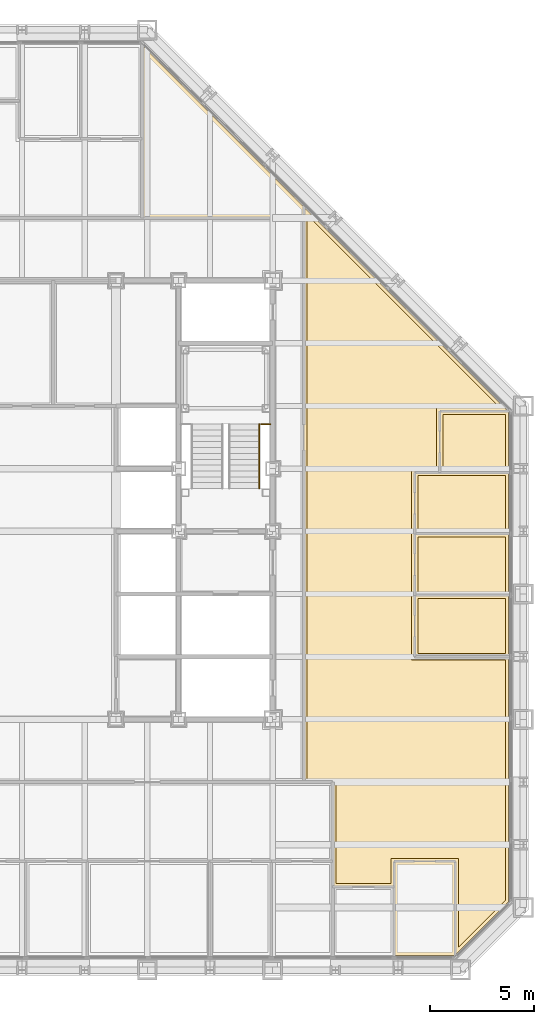
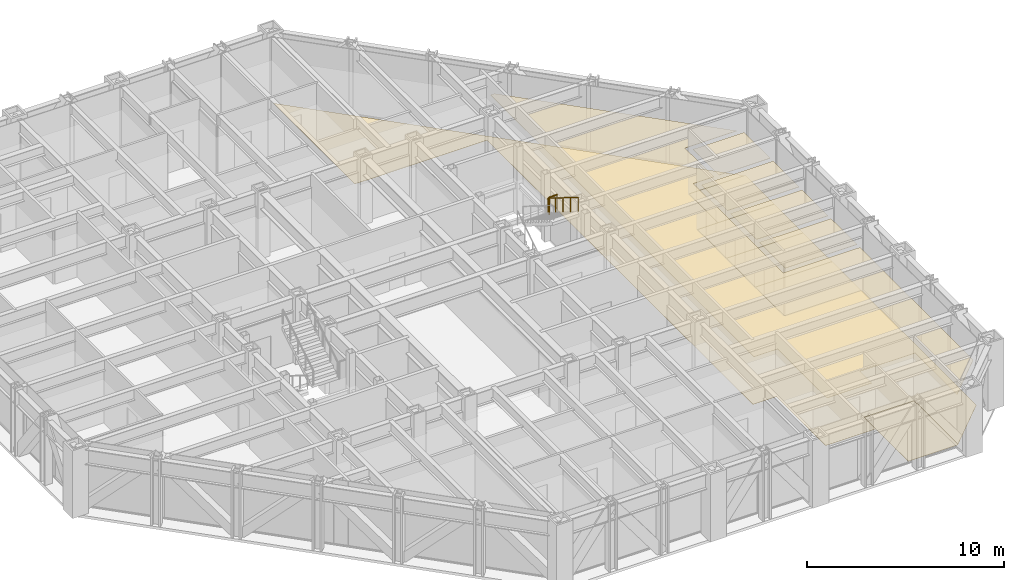
# One storey, part 15 of 16: 11 coverings, 2 railings.
"""IFC4 building model written with IfcOpenShell, lengths in metres."""

from ifc_helpers import new_model, si_unit, direction, frame, origin, origin_2d, place, context, subcontext, project, spatial, polyline, circle, outline, extrude, material, layer, layer_set, type_object, element, save


model = new_model("IFC4")

# Units and contexts
model_context = context("Model", 3, precision=1e-05, world=origin(), true_north=direction((0.0, 1.0)))
body_context = subcontext(model_context, "Body", "Model", "MODEL_VIEW")
ifc_project = project(units=[si_unit("LENGTHUNIT", "METRE"), si_unit("AREAUNIT", "SQUARE_METRE"), si_unit("VOLUMEUNIT", "CUBIC_METRE"), si_unit("PLANEANGLEUNIT", "RADIAN"), si_unit("MASSUNIT", "GRAM", prefix="KILO")], contexts=[model_context])

# Site, building, storey
site_placement = place(None, origin())
site = spatial("IfcSite", under=ifc_project, at=site_placement, CompositionType="ELEMENT")
building_placement = place(site_placement, origin())
building = spatial("IfcBuilding", under=site, at=building_placement, Name="Chuquiago Exchange Tower", CompositionType="ELEMENT")
storey_placement = place(building_placement, frame((0.0, 0.0, 111.0)))
storey = spatial("IfcBuildingStorey", under=building, at=storey_placement, Name="L23", CompositionType="ELEMENT", Elevation=111.0)

# Coverings
ifc_material_1 = material(Name="Mineral fibre tile, 600 x 600, on pale metal grid", Category="mineral fibre")
ifc_layer_1 = layer(ifc_material_1, 0.02001953125)
ifc_layer_set_1 = layer_set([ifc_layer_1], Name="CL1 suspended tile ceiling 20")
covering_type_1 = type_object("IfcCoveringType", Name="CL1 suspended tile ceiling 20", PredefinedType="CEILING", material=ifc_layer_set_1)
covering_1_placement = place(storey_placement, frame((0.0, 0.0, 2.800048828125)))
element("IfcCovering", 1, at=covering_1_placement, inside=storey, type_object=covering_type_1, Name="Ceiling Office", PredefinedType="CEILING", context=body_context, shape_type="SweptSolid", body=[
    extrude(outline(polyline([(39.949951171875, 15.14990234375), (39.949951171875, 17.787841796875), (44.14990234375, 17.787841796875), (44.14990234375, 15.14990234375), (39.949951171875, 15.14990234375)])), origin(), (0.0, 0.0, 1.0), 0.02001953125),
])
covering_2_placement = place(storey_placement, frame((0.0, 0.0, 2.800048828125)))
element("IfcCovering", 2, at=covering_2_placement, inside=storey, type_object=covering_type_1, Name="Ceiling Office", PredefinedType="CEILING", context=body_context, shape_type="SweptSolid", body=[
    extrude(outline(polyline([(39.949951171875, 18.087890625), (39.949951171875, 20.7255859375), (44.14990234375, 20.7255859375), (44.14990234375, 18.087890625), (39.949951171875, 18.087890625)])), origin(), (0.0, 0.0, 1.0), 0.02001953125),
])
covering_3_placement = place(storey_placement, frame((0.0, 0.0, 2.800048828125)))
element("IfcCovering", 3, at=covering_3_placement, inside=storey, type_object=covering_type_1, Name="Ceiling Meeting room", PredefinedType="CEILING", context=body_context, shape_type="SweptSolid", body=[
    extrude(outline(polyline([(39.949951171875, 21.025634765625), (39.949951171875, 23.66357421875), (44.14990234375, 23.66357421875), (44.14990234375, 21.025634765625), (39.949951171875, 21.025634765625)])), origin(), (0.0, 0.0, 1.0), 0.02001953125),
])
covering_4_placement = place(storey_placement, frame((0.0, 0.0, 2.800048828125)))
element("IfcCovering", 4, at=covering_4_placement, inside=storey, type_object=covering_type_1, Name="Ceiling Pantry", PredefinedType="CEILING", context=body_context, shape_type="SweptSolid", body=[
    extrude(outline(polyline([(44.14990234375, 23.963623046875), (41.14990234375, 23.963623046875), (41.14990234375, 26.6015625), (44.14990234375, 26.6015625), (44.14990234375, 23.963623046875)])), origin(), (0.0, 0.0, 1.0), 0.02001953125),
])
covering_5_placement = place(storey_placement, frame((0.0, 0.0, 2.800048828125)))
element("IfcCovering", 5, at=covering_5_placement, inside=storey, type_object=covering_type_1, Name="Ceiling Open office east suite", PredefinedType="CEILING", context=body_context, shape_type="SweptSolid", body=[
    extrude(outline(polyline([(43.896484375, 26.901611328125), (40.85009765625, 26.901611328125), (40.85009765625, 23.963623046875), (39.64990234375, 23.963623046875), (39.64990234375, 14.85009765625), (44.14990234375, 14.85009765625), (44.14990234375, 3.35205078125), (41.901611328125, 1.103515625), (41.901611328125, 5.35009765625), (38.66357421875, 5.35009765625), (38.66357421875, 4.14990234375), (36.026123046875, 4.14990234375), (36.026123046875, 9.150146484375), (34.650390625, 9.150390625), (34.650390625, 35.9150390625), (34.883056640625, 35.9150390625), (43.896484375, 26.901611328125)])), origin(), (0.0, 0.0, 1.0), 0.02001953125),
])
ifc_material_2 = material(Name="Carpet tile, 500 x 500, on the floor slab", Category="textile")
ifc_layer_2 = layer(ifc_material_2, 0.010009765625)
ifc_layer_set_2 = layer_set([ifc_layer_2], Name="FL1 carpet tile 10")
covering_type_2 = type_object("IfcCoveringType", Name="FL1 carpet tile 10", PredefinedType="FLOORING", material=ifc_layer_set_2)
covering_6_placement = place(storey_placement, origin())
element("IfcCovering", 6, at=covering_6_placement, inside=storey, type_object=covering_type_2, Name="Floor finish Office", PredefinedType="FLOORING", context=body_context, shape_type="SweptSolid", body=[
    extrude(outline(polyline([(41.710205078125, 0.699951171875), (38.813720703125, 0.699951171875), (38.813720703125, 5.199951171875), (41.75146484375, 5.199951171875), (41.75146484375, 0.741455078125), (41.710205078125, 0.699951171875)])), origin(), (0.0, 0.0, 1.0), 0.010009765625),
])
covering_7_placement = place(storey_placement, origin())
element("IfcCovering", 7, at=covering_7_placement, inside=storey, type_object=covering_type_2, Name="Floor finish Office", PredefinedType="FLOORING", context=body_context, shape_type="SweptSolid", body=[
    extrude(outline(polyline([(44.300048828125, 15.0), (39.800048828125, 15.0), (39.800048828125, 17.93798828125), (44.300048828125, 17.93798828125), (44.300048828125, 15.0)])), origin(), (0.0, 0.0, 1.0), 0.010009765625),
])
covering_8_placement = place(storey_placement, origin())
element("IfcCovering", 8, at=covering_8_placement, inside=storey, type_object=covering_type_2, Name="Floor finish Office", PredefinedType="FLOORING", context=body_context, shape_type="SweptSolid", body=[
    extrude(outline(polyline([(44.300048828125, 17.93798828125), (39.800048828125, 17.93798828125), (39.800048828125, 20.875732421875), (44.300048828125, 20.875732421875), (44.300048828125, 17.93798828125)])), origin(), (0.0, 0.0, 1.0), 0.010009765625),
])
covering_9_placement = place(storey_placement, origin())
element("IfcCovering", 9, at=covering_9_placement, inside=storey, type_object=covering_type_2, Name="Floor finish Meeting room", PredefinedType="FLOORING", context=body_context, shape_type="SweptSolid", body=[
    extrude(outline(polyline([(44.300048828125, 20.875732421875), (39.800048828125, 20.875732421875), (39.800048828125, 23.813720703125), (44.300048828125, 23.813720703125), (44.300048828125, 20.875732421875)])), origin(), (0.0, 0.0, 1.0), 0.010009765625),
])
covering_10_placement = place(storey_placement, origin())
element("IfcCovering", 10, at=covering_10_placement, inside=storey, type_object=covering_type_2, Name="Floor finish Open office east suite", PredefinedType="FLOORING", context=body_context, shape_type="SweptSolid", body=[
    extrude(outline(polyline([(44.258544921875, 26.75146484375), (41.0, 26.75146484375), (41.0, 23.813720703125), (39.800048828125, 23.813720703125), (39.800048828125, 15.0), (44.300048828125, 15.0), (44.300048828125, 3.289794921875), (41.75146484375, 0.741455078125), (41.75146484375, 5.199951171875), (38.813720703125, 5.199951171875), (38.813720703125, 4.0), (35.876220703125, 4.0), (35.876220703125, 9.0), (34.50048828125, 9.00048828125), (34.50048828125, 36.0), (26.751953125, 36.00048828125), (26.751953125, 44.258056640625), (44.258544921875, 26.75146484375)])), origin(), (0.0, 0.0, 1.0), 0.010009765625),
])
ifc_material_3 = material(Name="Porcelain floor tile, 600 x 600, on adhesive bed", Category="ceramic")
ifc_layer_3 = layer(ifc_material_3, 0.014892578125)
ifc_layer_set_3 = layer_set([ifc_layer_3], Name="FL2 porcelain tile 15")
covering_type_3 = type_object("IfcCoveringType", Name="FL2 porcelain tile 15", PredefinedType="FLOORING", material=ifc_layer_set_3)
covering_11_placement = place(storey_placement, origin())
element("IfcCovering", 11, at=covering_11_placement, inside=storey, type_object=covering_type_3, Name="Floor finish Pantry", PredefinedType="FLOORING", context=body_context, shape_type="SweptSolid", body=[
    extrude(outline(polyline([(44.300048828125, 26.710205078125), (44.300048828125, 23.813720703125), (41.0, 23.813720703125), (41.0, 26.75146484375), (44.258544921875, 26.75146484375), (44.300048828125, 26.710205078125)])), origin(), (0.0, 0.0, 1.0), 0.014892578125),
])

# Railings
ifc_material_4 = material(Name="Pale metal guard with safety glass infill", Category="glass")
railing_type_1 = type_object("IfcRailingType", Name="GR1 guard 1100", PredefinedType="GUARDRAIL", material=ifc_material_4)
railing_1_placement = place(storey_placement, frame((32.445068359375, 26.1298828125, 2.10009765625)))
element("IfcRailing", 12, at=railing_1_placement, inside=storey, type_object=railing_type_1, Name="Guard ST2 L23 landing 2", PredefinedType="GUARDRAIL", context=body_context, shape_type="SweptSolid", body=[
    extrude(circle(Radius=0.02392578125, at=origin_2d()), frame((0.0, 0.0, 1.076171875), z_axis=(1.0, 0.0, 0.0), x_axis=(0.0, 1.0, 0.0)), (0.0, 0.0, 1.0), 0.454833984375),
    extrude(circle(Radius=0.02099609375, at=origin_2d()), origin(), (0.0, 0.0, 1.0), 1.052001953125),
    extrude(circle(Radius=0.02099609375, at=origin_2d()), frame((0.454833984375, 0.0, 0.0)), (0.0, 0.0, 1.0), 1.052001953125),
])
ifc_material_5 = material(Name="Pale metal handrail", Category="steel")
railing_type_2 = type_object("IfcRailingType", Name="HR1 handrail 900", PredefinedType="HANDRAIL", material=ifc_material_5)
railing_2_placement = place(storey_placement, frame((32.364990234375, 26.1298828125, 2.27490234375)))
element("IfcRailing", 13, at=railing_2_placement, inside=storey, type_object=railing_type_2, Name="Handrail ST2 L23 flight 2", PredefinedType="HANDRAIL", context=body_context, shape_type="SweptSolid", body=[
    extrude(circle(Radius=0.02392578125, at=origin_2d()), frame((0.0, 0.0, 0.8759765625), z_axis=(0.0, -0.847979421464, 0.530029150871), x_axis=(1.0, 0.0, 0.0)), (0.0, 0.0, 1.0), 3.632080078125),
    extrude(circle(Radius=0.02099609375, at=origin_2d()), origin(), (0.0, 0.0, 1.0), 0.851806640625),
    extrude(circle(Radius=0.02099609375, at=origin_2d()), frame((0.0, -0.77001953125, 0.481201171875)), (0.0, 0.0, 1.0), 0.851806640625),
    extrude(circle(Radius=0.02099609375, at=origin_2d()), frame((0.0, -1.5400390625, 0.96240234375)), (0.0, 0.0, 1.0), 0.851806640625),
    extrude(circle(Radius=0.02099609375, at=origin_2d()), frame((0.0, -2.309814453125, 1.44384765625)), (0.0, 0.0, 1.0), 0.851806640625),
    extrude(circle(Radius=0.02099609375, at=origin_2d()), frame((0.0, -3.079833984375, 1.925048828125)), (0.0, 0.0, 1.0), 0.851806640625),
])

save(model, "model.ifc")
